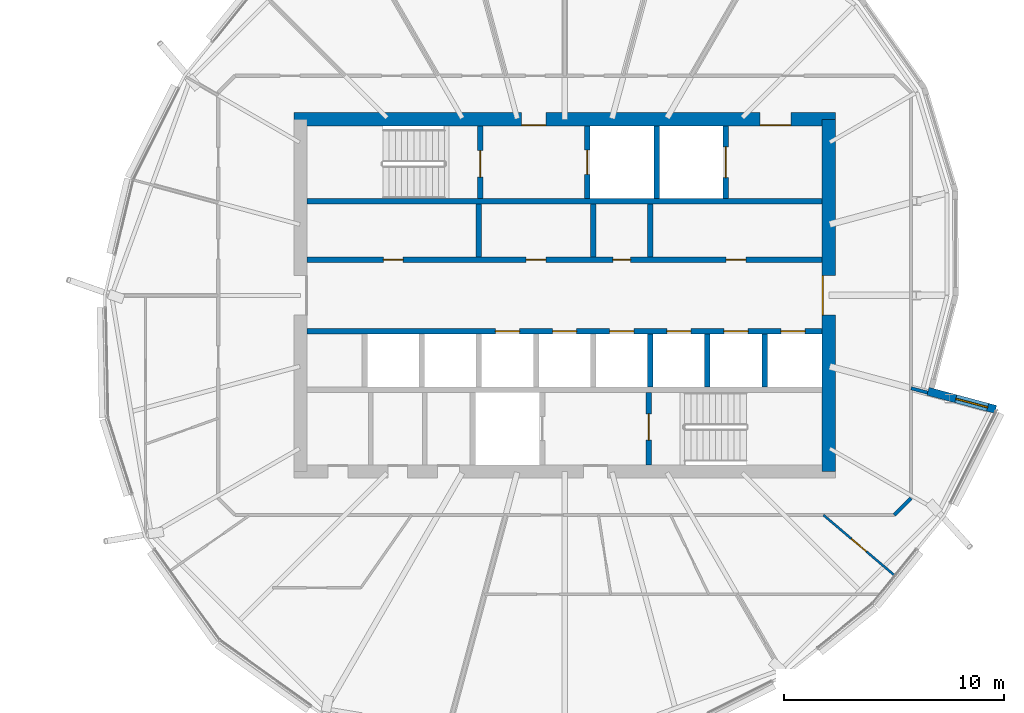
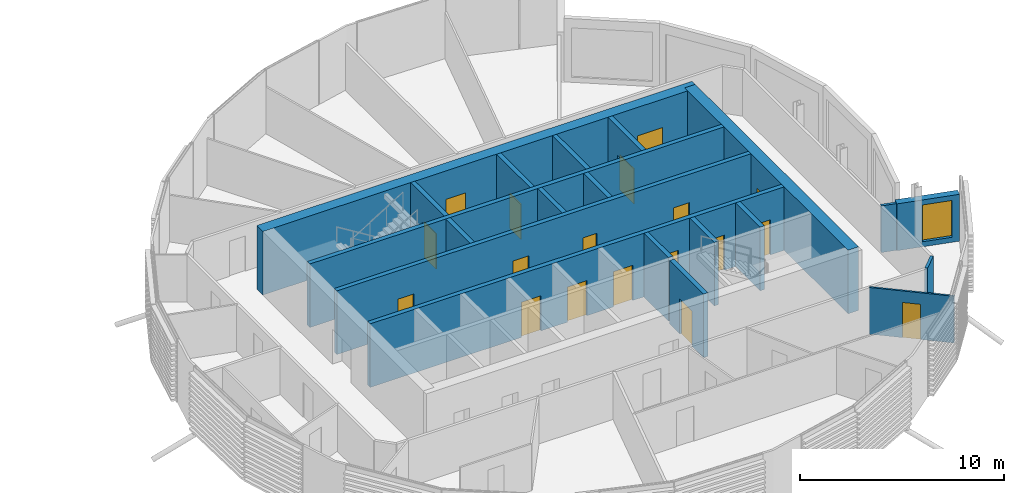
# One storey, part 22 of 36: 20 walls, 18 doors, 1 window, 19 openings.
"""IFC4 building model written with IfcOpenShell, lengths in metres."""

from ifc_helpers import new_model, si_unit, direction, frame, frame_2d, origin, place, context, subcontext, project, spatial, rectangle, extrude, material, layer, layer_set, type_object, element, fill, save


model = new_model("IFC4")

# Units and contexts
model_context = context("Model", 3, precision=1e-05, world=origin(), true_north=direction((0.0, 1.0)))
body_context = subcontext(model_context, "Body", "Model", "MODEL_VIEW")
ifc_project = project(units=[si_unit("LENGTHUNIT", "METRE"), si_unit("AREAUNIT", "SQUARE_METRE"), si_unit("VOLUMEUNIT", "CUBIC_METRE"), si_unit("PLANEANGLEUNIT", "RADIAN"), si_unit("MASSUNIT", "GRAM", prefix="KILO")], contexts=[model_context])

# Site, building, storey
site_placement = place(None, origin())
site = spatial("IfcSite", under=ifc_project, at=site_placement, CompositionType="ELEMENT")
building_placement = place(site_placement, origin())
building = spatial("IfcBuilding", under=site, at=building_placement, Name="Rimbun Link Towers", CompositionType="ELEMENT")
storey_placement = place(building_placement, frame((0.0, 0.0, 174.10009765625)))
storey = spatial("IfcBuildingStorey", under=building, at=storey_placement, Name="L42", CompositionType="ELEMENT", Elevation=174.10009765625)

# Wall, opening, window
ifc_material_1 = material(Name="Dark enamelled glass spandrel on insulated aluminium backpan", Category="aluminium")
ifc_layer_1 = layer(ifc_material_1, 0.3701171875)
ifc_layer_set_1 = layer_set([ifc_layer_1], Name="CS dark enamelled spandrel wall 370")
wall_type_1 = type_object("IfcWallType", Name="CS dark enamelled spandrel wall 370", PredefinedType="STANDARD", material=ifc_layer_set_1)
wall_1_placement = place(storey_placement, frame((48.25439453125, -4.35498046875, 0.0), z_axis=(0.0, 0.0, 1.0), x_axis=(0.965927146643, -0.258814117426, 0.0)))
wall_1 = element("IfcWall", 1, at=wall_1_placement, inside=storey, type_object=wall_type_1, Name="Crease spandrel wall", PredefinedType="STANDARD", context=body_context, shape_type="SweptSolid", body=[
    extrude(rectangle(XDim=3.179931640625, YDim=0.3701171875, at=frame_2d((1.58984375, 0.0))), origin(), (0.0, 0.0, 1.0), 2.799072265625),
])
opening_1_placement = place(wall_1_placement, frame((1.305419921875, 0.0, 0.300048828125)))
opening_1 = element("IfcOpeningElement", 2, at=opening_1_placement, cuts=wall_1, Name="Opening WR15H220", PredefinedType="OPENING", context=body_context, shape_type="SweptSolid", body=[
    extrude(rectangle(XDim=1.5, YDim=2.199951171875, at=frame_2d((0.75, 1.10009765625))), frame((0.0, 0.195068359375, 0.0), z_axis=(0.0, -1.0, 0.0), x_axis=(1.0, 0.0, 0.0)), (0.0, 0.0, 1.0), 0.39013671875),
])
ifc_material_2 = material(Name="Aluminium framed fixed window, dark tinted low-e glass", Category="aluminium")
window_type = type_object("IfcWindowType", Name="WR ribbon window 1500X2200", PartitioningType="SINGLE_PANEL", PredefinedType="WINDOW", material=ifc_material_2)
window_placement = place(opening_1_placement, origin())
window = element("IfcWindow", 3, at=window_placement, inside=storey, type_object=window_type, Name="Crease ribbon window", OverallHeight=2.199951171875, OverallWidth=1.5, PartitioningType="SINGLE_PANEL", PredefinedType="WINDOW", context=body_context, shape_type="SweptSolid", body=[
    extrude(rectangle(XDim=1.5, YDim=2.199951171875, at=frame_2d((0.75, 1.10009765625))), frame((0.0, 0.030029296875, 0.0), z_axis=(0.0, -1.0, 0.0), x_axis=(1.0, 0.0, 0.0)), (0.0, 0.0, 1.0), 0.06005859375),
])
fill(opening_1, window)

# Wall, openings, doors
ifc_material_3 = material(Name="Concrete C60/75", Category="concrete")
ifc_layer_2 = layer(ifc_material_3, 0.60009765625)
ifc_layer_set_2 = layer_set([ifc_layer_2], Name="Core shear wall 600")
wall_type_2 = type_object("IfcWallType", Name="Core shear wall 600", PredefinedType="SHEAR", material=ifc_layer_set_2)
wall_2_placement = place(storey_placement, frame((19.449951171875, 8.0, 0.0), z_axis=(0.0, 0.0, 1.0), x_axis=(1.0, 0.0, 0.0)))
wall_2 = element("IfcWall", 4, at=wall_2_placement, inside=storey, type_object=wall_type_2, Name="L42 T2 core wall N", PredefinedType="SHEAR", context=body_context, shape_type="SweptSolid", body=[
    extrude(rectangle(XDim=24.60009765625, YDim=0.60009765625, at=frame_2d((12.300048828125, 0.0))), origin(), (0.0, 0.0, 1.0), 3.7998046875),
])
opening_2_placement = place(wall_2_placement, frame((10.35009765625, 0.0, 0.0)))
opening_2 = element("IfcOpeningElement", 5, at=opening_2_placement, cuts=wall_2, Name="Opening C2DCF01N", PredefinedType="OPENING", context=body_context, shape_type="SweptSolid", body=[
    extrude(rectangle(XDim=1.10009765625, YDim=2.10009765625, at=frame_2d((0.550048828125, 1.050048828125))), frame((0.0, 0.31005859375, 0.0), z_axis=(0.0, -1.0, 0.0), x_axis=(1.0, 0.0, 0.0)), (0.0, 0.0, 1.0), 0.6201171875),
])
opening_3_placement = place(wall_2_placement, frame((21.175048828125, 0.0, 0.0)))
opening_3 = element("IfcOpeningElement", 6, at=opening_3_placement, cuts=wall_2, Name="Opening C2DSL02N", PredefinedType="OPENING", context=body_context, shape_type="SweptSolid", body=[
    extrude(rectangle(XDim=1.39990234375, YDim=2.10009765625, at=frame_2d((0.699951171875, 1.050048828125))), frame((0.0, 0.31005859375, 0.0), z_axis=(0.0, -1.0, 0.0), x_axis=(1.0, 0.0, 0.0)), (0.0, 0.0, 1.0), 0.6201171875),
])
ifc_material_4 = material(Name="Steel fire door set", Category="steel")
door_type_1 = type_object("IfcDoorType", Name="Core fire door single", OperationType="SINGLE_SWING_LEFT", PredefinedType="DOOR", material=ifc_material_4)
door_1_placement = place(opening_2_placement, origin())
door_1 = element("IfcDoor", 7, at=door_1_placement, inside=storey, type_object=door_type_1, Name="L42 T2 firefighting lobby n door", OperationType="SINGLE_SWING_LEFT", OverallHeight=2.10009765625, OverallWidth=1.10009765625, PredefinedType="DOOR", context=body_context, shape_type="SweptSolid", body=[
    extrude(rectangle(XDim=1.10009765625, YDim=2.10009765625, at=frame_2d((0.550048828125, 1.050048828125))), frame((0.0, -0.25, 0.0), z_axis=(0.0, -1.0, 0.0), x_axis=(1.0, 0.0, 0.0)), (0.0, 0.0, 1.0), 0.050048828125),
])
fill(opening_2, door_1)
ifc_material_5 = material(Name="Steel fire door set", Category="steel")
door_type_2 = type_object("IfcDoorType", Name="Service lobby door double", OperationType="DOUBLE_DOOR_SINGLE_SWING", PredefinedType="DOOR", material=ifc_material_5)
door_2_placement = place(opening_3_placement, origin())
door_2 = element("IfcDoor", 8, at=door_2_placement, inside=storey, type_object=door_type_2, Name="L42 T2 service lobby door", OperationType="DOUBLE_DOOR_SINGLE_SWING", OverallHeight=2.10009765625, OverallWidth=1.39990234375, PredefinedType="DOOR", context=body_context, shape_type="SweptSolid", body=[
    extrude(rectangle(XDim=1.39990234375, YDim=2.10009765625, at=frame_2d((0.699951171875, 1.050048828125))), frame((0.0, -0.25, 0.0), z_axis=(0.0, -1.0, 0.0), x_axis=(1.0, 0.0, 0.0)), (0.0, 0.0, 1.0), 0.050048828125),
])
fill(opening_3, door_2)

# Wall, opening, door
wall_3_placement = place(storey_placement, frame((43.75, -8.0, 0.0), z_axis=(0.0, 0.0, 1.0), x_axis=(0.0, 1.0, 0.0)))
wall_3 = element("IfcWall", 9, at=wall_3_placement, inside=storey, type_object=wall_type_2, Name="L42 T2 core wall E", PredefinedType="SHEAR", context=body_context, shape_type="SweptSolid", body=[
    extrude(rectangle(XDim=16.0, YDim=0.60009765625, at=frame_2d((8.0, 0.0))), origin(), (0.0, 0.0, 1.0), 3.7998046875),
])
opening_4_placement = place(wall_3_placement, frame((7.10009765625, 0.0, 0.0)))
opening_4 = element("IfcOpeningElement", 10, at=opening_4_placement, cuts=wall_3, Name="Opening C2DCL01E", PredefinedType="OPENING", context=body_context, shape_type="SweptSolid", body=[
    extrude(rectangle(XDim=1.800048828125, YDim=2.10009765625, at=frame_2d((0.89990234375, 1.050048828125))), frame((0.0, 0.31005859375, 0.0), z_axis=(0.0, -1.0, 0.0), x_axis=(1.0, 0.0, 0.0)), (0.0, 0.0, 1.0), 0.6201171875),
])
ifc_material_6 = material(Name="Steel fire door set", Category="steel")
door_type_3 = type_object("IfcDoorType", Name="Core lobby door double", OperationType="DOUBLE_DOOR_SINGLE_SWING", PredefinedType="DOOR", material=ifc_material_6)
door_3_placement = place(opening_4_placement, origin())
door_3 = element("IfcDoor", 11, at=door_3_placement, inside=storey, type_object=door_type_3, Name="L42 T2 lift lobby door", OperationType="DOUBLE_DOOR_SINGLE_SWING", OverallHeight=2.10009765625, OverallWidth=1.800048828125, PredefinedType="DOOR", context=body_context, shape_type="SweptSolid", body=[
    extrude(rectangle(XDim=1.800048828125, YDim=2.10009765625, at=frame_2d((0.89990234375, 1.050048828125))), frame((0.0, 0.2998046875, 0.0), z_axis=(0.0, -1.0, 0.0), x_axis=(1.0, 0.0, 0.0)), (0.0, 0.0, 1.0), 0.050048828125),
])
fill(opening_4, door_3)

# Wall
ifc_material_7 = material(Name="Plasterboard on steel stud, mineral wool", Category="steel")
ifc_layer_3 = layer(ifc_material_7, 0.14990234375)
ifc_layer_set_3 = layer_set([ifc_layer_3], Name="Corridor wall EI 30 150 mm")
wall_type_3 = type_object("IfcWallType", Name="Corridor wall EI 30 150 mm", PredefinedType="PARTITIONING", material=ifc_layer_set_3)
wall_4_placement = place(storey_placement, frame((46.7236328125, -9.97509765625, 0.0), z_axis=(0.0, 0.0, 1.0), x_axis=(0.707106781187, 0.707106781187, 0.0)))
element("IfcWall", 12, at=wall_4_placement, inside=storey, type_object=wall_type_3, Name="Corridor wall EI 30 150 mm", PredefinedType="PARTITIONING", context=body_context, shape_type="SweptSolid", body=[
    extrude(rectangle(XDim=1.076904296875, YDim=0.14990234375, at=frame_2d((0.53857421875, 0.0))), origin(), (0.0, 0.0, 1.0), 2.788818359375),
])

# Wall, opening, door
ifc_material_8 = material(Name="Plasterboard on steel stud", Category="steel")
ifc_layer_4 = layer(ifc_material_8, 0.10009765625)
ifc_layer_set_4 = layer_set([ifc_layer_4], Name="Plasterboard partition 100 mm")
wall_type_4 = type_object("IfcWallType", Name="Plasterboard partition 100 mm", PredefinedType="PARTITIONING", material=ifc_layer_set_4)
wall_5_placement = place(storey_placement, frame((43.50537109375, -9.97509765625, 0.0), z_axis=(0.0, 0.0, 1.0), x_axis=(0.762487554791, -0.647002881593, 0.0)))
wall_5 = element("IfcWall", 13, at=wall_5_placement, inside=storey, type_object=wall_type_4, Name="Plasterboard partition 100 mm", PredefinedType="PARTITIONING", context=body_context, shape_type="SweptSolid", body=[
    extrude(rectangle(XDim=4.22802734375, YDim=0.10009765625, at=frame_2d((2.114013671875, 0.0))), origin(), (0.0, 0.0, 1.0), 2.788818359375),
])
opening_5_placement = place(wall_5_placement, frame((1.6640625, 0.0, 0.0)))
opening_5 = element("IfcOpeningElement", 14, at=opening_5_placement, cuts=wall_5, Name="Opening D04", PredefinedType="OPENING", context=body_context, shape_type="SweptSolid", body=[
    extrude(rectangle(XDim=0.89990234375, YDim=2.10009765625, at=frame_2d((0.449951171875, 1.050048828125))), frame((0.0, 0.06005859375, 0.0), z_axis=(0.0, -1.0, 0.0), x_axis=(1.0, 0.0, 0.0)), (0.0, 0.0, 1.0), 0.1201171875),
])
ifc_material_9 = material(Name="Timber door leaf", Category="wood")
door_type_4 = type_object("IfcDoorType", Name="Flush door 900", OperationType="NOTDEFINED", PredefinedType="DOOR", material=ifc_material_9)
door_4_placement = place(opening_5_placement, origin())
door_4 = element("IfcDoor", 15, at=door_4_placement, inside=storey, type_object=door_type_4, Name="Flush door 900 to Pantry", OperationType="SINGLE_SWING_RIGHT", OverallHeight=2.10009765625, OverallWidth=0.89990234375, PredefinedType="DOOR", context=body_context, shape_type="SweptSolid", body=[
    extrude(rectangle(XDim=0.89990234375, YDim=2.10009765625, at=frame_2d((0.449951171875, 1.050048828125))), frame((0.0, 0.02490234375, 0.0), z_axis=(0.0, -1.0, 0.0), x_axis=(1.0, 0.0, 0.0)), (0.0, 0.0, 1.0), 0.050048828125),
])
fill(opening_5, door_4)

# Wall
ifc_material_10 = material(Name="Concrete C60/75", Category="concrete")
ifc_layer_5 = layer(ifc_material_10, 0.25)
ifc_layer_set_5 = layer_set([ifc_layer_5], Name="Shaft wall 250")
wall_type_5 = type_object("IfcWallType", Name="Shaft wall 250", PredefinedType="SHEAR", material=ifc_layer_set_5)
wall_6_placement = place(storey_placement, frame((20.050048828125, 4.27490234375, 0.0), z_axis=(0.0, 0.0, 1.0), x_axis=(1.0, 0.0, 0.0)))
element("IfcWall", 16, at=wall_6_placement, inside=storey, type_object=wall_type_5, Name="L42 T2 core wall BN", PredefinedType="SHEAR", context=body_context, shape_type="SweptSolid", body=[
    extrude(rectangle(XDim=23.39990234375, YDim=0.25, at=frame_2d((11.699951171875, 0.0))), origin(), (0.0, 0.0, 1.0), 3.7998046875),
])

# Wall, openings, doors
wall_7_placement = place(storey_placement, frame((20.050048828125, 1.625, 0.0), z_axis=(0.0, 0.0, 1.0), x_axis=(1.0, 0.0, 0.0)))
wall_7 = element("IfcWall", 17, at=wall_7_placement, inside=storey, type_object=wall_type_5, Name="L42 T2 core wall FN", PredefinedType="SHEAR", context=body_context, shape_type="SweptSolid", body=[
    extrude(rectangle(XDim=23.39990234375, YDim=0.25, at=frame_2d((11.699951171875, 0.0))), origin(), (0.0, 0.0, 1.0), 3.7998046875),
])
opening_6_placement = place(wall_7_placement, frame((3.466796875, 0.0, 0.0)))
opening_6 = element("IfcOpeningElement", 18, at=opening_6_placement, cuts=wall_7, Name="Opening C2DRS01FN", PredefinedType="OPENING", context=body_context, shape_type="SweptSolid", body=[
    extrude(rectangle(XDim=0.89990234375, YDim=2.10009765625, at=frame_2d((0.449951171875, 1.050048828125))), frame((0.0, 0.135009765625, 0.0), z_axis=(0.0, -1.0, 0.0), x_axis=(1.0, 0.0, 0.0)), (0.0, 0.0, 1.0), 0.27001953125),
])
opening_7_placement = place(wall_7_placement, frame((9.952880859375, 0.0, 0.0)))
opening_7 = element("IfcOpeningElement", 19, at=opening_7_placement, cuts=wall_7, Name="Opening C2DRS02FN", PredefinedType="OPENING", context=body_context, shape_type="SweptSolid", body=[
    extrude(rectangle(XDim=0.89990234375, YDim=2.10009765625, at=frame_2d((0.449951171875, 1.050048828125))), frame((0.0, 0.135009765625, 0.0), z_axis=(0.0, -1.0, 0.0), x_axis=(1.0, 0.0, 0.0)), (0.0, 0.0, 1.0), 0.27001953125),
])
opening_8_placement = place(wall_7_placement, frame((13.894287109375, 0.0, 0.0)))
opening_8 = element("IfcOpeningElement", 20, at=opening_8_placement, cuts=wall_7, Name="Opening C2DRA03FN", PredefinedType="OPENING", context=body_context, shape_type="SweptSolid", body=[
    extrude(rectangle(XDim=0.800048828125, YDim=2.10009765625, at=frame_2d((0.39990234375, 1.050048828125))), frame((0.0, 0.135009765625, 0.0), z_axis=(0.0, -1.0, 0.0), x_axis=(1.0, 0.0, 0.0)), (0.0, 0.0, 1.0), 0.27001953125),
])
opening_9_placement = place(wall_7_placement, frame((19.033203125, 0.0, 0.0)))
opening_9 = element("IfcOpeningElement", 21, at=opening_9_placement, cuts=wall_7, Name="Opening C2DRS04FN", PredefinedType="OPENING", context=body_context, shape_type="SweptSolid", body=[
    extrude(rectangle(XDim=0.89990234375, YDim=2.10009765625, at=frame_2d((0.449951171875, 1.050048828125))), frame((0.0, 0.135009765625, 0.0), z_axis=(0.0, -1.0, 0.0), x_axis=(1.0, 0.0, 0.0)), (0.0, 0.0, 1.0), 0.27001953125),
])
ifc_material_11 = material(Name="Steel fire door set", Category="steel")
door_type_5 = type_object("IfcDoorType", Name="Core riser door", OperationType="SINGLE_SWING_LEFT", PredefinedType="DOOR", material=ifc_material_11)
door_5_placement = place(opening_6_placement, origin())
door_5 = element("IfcDoor", 22, at=door_5_placement, inside=storey, type_object=door_type_5, Name="L42 T2 plant room door", OperationType="SINGLE_SWING_LEFT", OverallHeight=2.10009765625, OverallWidth=0.89990234375, PredefinedType="DOOR", context=body_context, shape_type="SweptSolid", body=[
    extrude(rectangle(XDim=0.89990234375, YDim=2.10009765625, at=frame_2d((0.449951171875, 1.050048828125))), frame((0.0, 0.02490234375, 0.0), z_axis=(0.0, -1.0, 0.0), x_axis=(1.0, 0.0, 0.0)), (0.0, 0.0, 1.0), 0.050048828125),
])
fill(opening_6, door_5)
door_6_placement = place(opening_7_placement, origin())
door_6 = element("IfcDoor", 23, at=door_6_placement, inside=storey, type_object=door_type_5, Name="L42 T2 pantry door", OperationType="SINGLE_SWING_LEFT", OverallHeight=2.10009765625, OverallWidth=0.89990234375, PredefinedType="DOOR", context=body_context, shape_type="SweptSolid", body=[
    extrude(rectangle(XDim=0.89990234375, YDim=2.10009765625, at=frame_2d((0.449951171875, 1.050048828125))), frame((0.0, 0.02490234375, 0.0), z_axis=(0.0, -1.0, 0.0), x_axis=(1.0, 0.0, 0.0)), (0.0, 0.0, 1.0), 0.050048828125),
])
fill(opening_7, door_6)
door_7_placement = place(opening_9_placement, origin())
door_7 = element("IfcDoor", 24, at=door_7_placement, inside=storey, type_object=door_type_5, Name="L42 T2 plant room door", OperationType="SINGLE_SWING_RIGHT", OverallHeight=2.10009765625, OverallWidth=0.89990234375, PredefinedType="DOOR", context=body_context, shape_type="SweptSolid", body=[
    extrude(rectangle(XDim=0.89990234375, YDim=2.10009765625, at=frame_2d((0.449951171875, 1.050048828125))), frame((0.0, 0.02490234375, 0.0), z_axis=(0.0, -1.0, 0.0), x_axis=(1.0, 0.0, 0.0)), (0.0, 0.0, 1.0), 0.050048828125),
])
fill(opening_9, door_7)
ifc_material_12 = material(Name="Steel fire door set", Category="steel")
door_type_6 = type_object("IfcDoorType", Name="Riser access door 800 x 2100", OperationType="SINGLE_SWING_LEFT", PredefinedType="DOOR", material=ifc_material_12)
door_8_placement = place(opening_8_placement, origin())
door_8 = element("IfcDoor", 25, at=door_8_placement, inside=storey, type_object=door_type_6, Name="L42 T2 riser cupboard door", OperationType="SINGLE_SWING_LEFT", OverallHeight=2.10009765625, OverallWidth=0.800048828125, PredefinedType="DOOR", context=body_context, shape_type="SweptSolid", body=[
    extrude(rectangle(XDim=0.800048828125, YDim=2.10009765625, at=frame_2d((0.39990234375, 1.050048828125))), frame((0.0, 0.02490234375, 0.0), z_axis=(0.0, -1.0, 0.0), x_axis=(1.0, 0.0, 0.0)), (0.0, 0.0, 1.0), 0.050048828125),
])
fill(opening_8, door_8)

wall_8_placement = place(storey_placement, frame((20.050048828125, -1.625, 0.0), z_axis=(0.0, 0.0, 1.0), x_axis=(1.0, 0.0, 0.0)))
wall_8 = element("IfcWall", 26, at=wall_8_placement, inside=storey, type_object=wall_type_5, Name="L42 T2 core wall FS", PredefinedType="SHEAR", context=body_context, shape_type="SweptSolid", body=[
    extrude(rectangle(XDim=23.39990234375, YDim=0.25, at=frame_2d((11.699951171875, 0.0))), origin(), (0.0, 0.0, 1.0), 3.7998046875),
])
opening_10_placement = place(wall_8_placement, frame((8.5556640625, 0.0, 0.0)))
opening_10 = element("IfcOpeningElement", 27, at=opening_10_placement, cuts=wall_8, Name="Opening LD-T2-HR1", PredefinedType="OPENING", context=body_context, shape_type="SweptSolid", body=[
    extrude(rectangle(XDim=1.10009765625, YDim=2.10009765625, at=frame_2d((0.550048828125, 1.050048828125))), frame((0.0, 0.135009765625, 0.0), z_axis=(0.0, -1.0, 0.0), x_axis=(1.0, 0.0, 0.0)), (0.0, 0.0, 1.0), 0.27001953125),
])
opening_11_placement = place(wall_8_placement, frame((11.14990234375, 0.0, 0.0)))
opening_11 = element("IfcOpeningElement", 28, at=opening_11_placement, cuts=wall_8, Name="Opening LD-T2-HR2", PredefinedType="OPENING", context=body_context, shape_type="SweptSolid", body=[
    extrude(rectangle(XDim=1.10009765625, YDim=2.10009765625, at=frame_2d((0.550048828125, 1.050048828125))), frame((0.0, 0.135009765625, 0.0), z_axis=(0.0, -1.0, 0.0), x_axis=(1.0, 0.0, 0.0)), (0.0, 0.0, 1.0), 0.27001953125),
])
opening_12_placement = place(wall_8_placement, frame((13.744384765625, 0.0, 0.0)))
opening_12 = element("IfcOpeningElement", 29, at=opening_12_placement, cuts=wall_8, Name="Opening LD-T2-HR3", PredefinedType="OPENING", context=body_context, shape_type="SweptSolid", body=[
    extrude(rectangle(XDim=1.10009765625, YDim=2.10009765625, at=frame_2d((0.550048828125, 1.050048828125))), frame((0.0, 0.135009765625, 0.0), z_axis=(0.0, -1.0, 0.0), x_axis=(1.0, 0.0, 0.0)), (0.0, 0.0, 1.0), 0.27001953125),
])
opening_13_placement = place(wall_8_placement, frame((16.3388671875, 0.0, 0.0)))
opening_13 = element("IfcOpeningElement", 30, at=opening_13_placement, cuts=wall_8, Name="Opening LD-T2-HR4", PredefinedType="OPENING", context=body_context, shape_type="SweptSolid", body=[
    extrude(rectangle(XDim=1.10009765625, YDim=2.10009765625, at=frame_2d((0.550048828125, 1.050048828125))), frame((0.0, 0.135009765625, 0.0), z_axis=(0.0, -1.0, 0.0), x_axis=(1.0, 0.0, 0.0)), (0.0, 0.0, 1.0), 0.27001953125),
])
opening_14_placement = place(wall_8_placement, frame((18.933349609375, 0.0, 0.0)))
opening_14 = element("IfcOpeningElement", 31, at=opening_14_placement, cuts=wall_8, Name="Opening LD-T2-HR5", PredefinedType="OPENING", context=body_context, shape_type="SweptSolid", body=[
    extrude(rectangle(XDim=1.10009765625, YDim=2.10009765625, at=frame_2d((0.550048828125, 1.050048828125))), frame((0.0, 0.135009765625, 0.0), z_axis=(0.0, -1.0, 0.0), x_axis=(1.0, 0.0, 0.0)), (0.0, 0.0, 1.0), 0.27001953125),
])
opening_15_placement = place(wall_8_placement, frame((21.52783203125, 0.0, 0.0)))
opening_15 = element("IfcOpeningElement", 32, at=opening_15_placement, cuts=wall_8, Name="Opening LD-T2-HR6", PredefinedType="OPENING", context=body_context, shape_type="SweptSolid", body=[
    extrude(rectangle(XDim=1.10009765625, YDim=2.10009765625, at=frame_2d((0.550048828125, 1.050048828125))), frame((0.0, 0.135009765625, 0.0), z_axis=(0.0, -1.0, 0.0), x_axis=(1.0, 0.0, 0.0)), (0.0, 0.0, 1.0), 0.27001953125),
])
ifc_material_13 = material(Name="Stainless steel grade 316", Category="steel")
door_type_7 = type_object("IfcDoorType", Name="Lift landing door", OperationType="DOUBLE_DOOR_SLIDING", PredefinedType="DOOR", material=ifc_material_13)
door_9_placement = place(opening_10_placement, origin())
door_9 = element("IfcDoor", 33, at=door_9_placement, inside=storey, type_object=door_type_7, Name="L42 T2 lift HR1 landing door", OperationType="DOUBLE_DOOR_SLIDING", OverallHeight=2.10009765625, OverallWidth=1.10009765625, PredefinedType="DOOR", context=body_context, shape_type="SweptSolid", body=[
    extrude(rectangle(XDim=1.10009765625, YDim=2.10009765625, at=frame_2d((0.550048828125, 1.050048828125))), frame((0.0, 0.02490234375, 0.0), z_axis=(0.0, -1.0, 0.0), x_axis=(1.0, 0.0, 0.0)), (0.0, 0.0, 1.0), 0.050048828125),
])
fill(opening_10, door_9)
door_10_placement = place(opening_11_placement, origin())
door_10 = element("IfcDoor", 34, at=door_10_placement, inside=storey, type_object=door_type_7, Name="L42 T2 lift HR2 landing door", OperationType="DOUBLE_DOOR_SLIDING", OverallHeight=2.10009765625, OverallWidth=1.10009765625, PredefinedType="DOOR", context=body_context, shape_type="SweptSolid", body=[
    extrude(rectangle(XDim=1.10009765625, YDim=2.10009765625, at=frame_2d((0.550048828125, 1.050048828125))), frame((0.0, 0.02490234375, 0.0), z_axis=(0.0, -1.0, 0.0), x_axis=(1.0, 0.0, 0.0)), (0.0, 0.0, 1.0), 0.050048828125),
])
fill(opening_11, door_10)
door_11_placement = place(opening_12_placement, origin())
door_11 = element("IfcDoor", 35, at=door_11_placement, inside=storey, type_object=door_type_7, Name="L42 T2 lift HR3 landing door", OperationType="DOUBLE_DOOR_SLIDING", OverallHeight=2.10009765625, OverallWidth=1.10009765625, PredefinedType="DOOR", context=body_context, shape_type="SweptSolid", body=[
    extrude(rectangle(XDim=1.10009765625, YDim=2.10009765625, at=frame_2d((0.550048828125, 1.050048828125))), frame((0.0, 0.02490234375, 0.0), z_axis=(0.0, -1.0, 0.0), x_axis=(1.0, 0.0, 0.0)), (0.0, 0.0, 1.0), 0.050048828125),
])
fill(opening_12, door_11)
door_12_placement = place(opening_13_placement, origin())
door_12 = element("IfcDoor", 36, at=door_12_placement, inside=storey, type_object=door_type_7, Name="L42 T2 lift HR4 landing door", OperationType="DOUBLE_DOOR_SLIDING", OverallHeight=2.10009765625, OverallWidth=1.10009765625, PredefinedType="DOOR", context=body_context, shape_type="SweptSolid", body=[
    extrude(rectangle(XDim=1.10009765625, YDim=2.10009765625, at=frame_2d((0.550048828125, 1.050048828125))), frame((0.0, 0.02490234375, 0.0), z_axis=(0.0, -1.0, 0.0), x_axis=(1.0, 0.0, 0.0)), (0.0, 0.0, 1.0), 0.050048828125),
])
fill(opening_13, door_12)
door_13_placement = place(opening_14_placement, origin())
door_13 = element("IfcDoor", 37, at=door_13_placement, inside=storey, type_object=door_type_7, Name="L42 T2 lift HR5 landing door", OperationType="DOUBLE_DOOR_SLIDING", OverallHeight=2.10009765625, OverallWidth=1.10009765625, PredefinedType="DOOR", context=body_context, shape_type="SweptSolid", body=[
    extrude(rectangle(XDim=1.10009765625, YDim=2.10009765625, at=frame_2d((0.550048828125, 1.050048828125))), frame((0.0, 0.02490234375, 0.0), z_axis=(0.0, -1.0, 0.0), x_axis=(1.0, 0.0, 0.0)), (0.0, 0.0, 1.0), 0.050048828125),
])
fill(opening_14, door_13)
door_14_placement = place(opening_15_placement, origin())
door_14 = element("IfcDoor", 38, at=door_14_placement, inside=storey, type_object=door_type_7, Name="L42 T2 lift HR6 landing door", OperationType="DOUBLE_DOOR_SLIDING", OverallHeight=2.10009765625, OverallWidth=1.10009765625, PredefinedType="DOOR", context=body_context, shape_type="SweptSolid", body=[
    extrude(rectangle(XDim=1.10009765625, YDim=2.10009765625, at=frame_2d((0.550048828125, 1.050048828125))), frame((0.0, 0.02490234375, 0.0), z_axis=(0.0, -1.0, 0.0), x_axis=(1.0, 0.0, 0.0)), (0.0, 0.0, 1.0), 0.050048828125),
])
fill(opening_15, door_14)

# Walls
for number, where, z_axis, x_axis, name in (
    (39, (27.8583984375, 1.75, 0.0), (0.0, 0.0, 1.0), (0.0, 1.0, 0.0), "L42 T2 core wall DN2"),
    (40, (33.047119140625, 1.75, 0.0), (0.0, 0.0, 1.0), (0.0, 1.0, 0.0), "L42 T2 core wall DN4"),
    (41, (35.6416015625, 1.75, 0.0), (0.0, 0.0, 1.0), (0.0, 1.0, 0.0), "L42 T2 core wall DN5"),
    (42, (35.6416015625, -4.14990234375, 0.0), (0.0, 0.0, 1.0), (0.0, 1.0, 0.0), "L42 T2 core wall DS5"),
    (43, (38.236083984375, -4.14990234375, 0.0), (0.0, 0.0, 1.0), (0.0, 1.0, 0.0), "L42 T2 core wall DS6"),
    (44, (40.83056640625, -4.14990234375, 0.0), (0.0, 0.0, 1.0), (0.0, 1.0, 0.0), "L42 T2 core wall DS7"),
):
    element("IfcWall", number, at=place(storey_placement, frame(where, z_axis=z_axis, x_axis=x_axis)), inside=storey, type_object=wall_type_5, Name=name, PredefinedType="SHEAR", context=body_context, shape_type="SweptSolid", body=[
        extrude(rectangle(XDim=2.39990234375, YDim=0.25, at=frame_2d((1.199951171875, 0.0))), origin(), (0.0, 0.0, 1.0), 3.7998046875),
    ])

# Wall, opening, door
wall_9_placement = place(storey_placement, frame((27.925048828125, 4.39990234375, 0.0), z_axis=(0.0, 0.0, 1.0), x_axis=(0.0, 1.0, 0.0)))
wall_9 = element("IfcWall", 45, at=wall_9_placement, inside=storey, type_object=wall_type_5, Name="L42 T2 core wall A1", PredefinedType="SHEAR", context=body_context, shape_type="SweptSolid", body=[
    extrude(rectangle(XDim=3.300048828125, YDim=0.25, at=frame_2d((1.64990234375, 0.0))), origin(), (0.0, 0.0, 1.0), 3.7998046875),
])
opening_16_placement = place(wall_9_placement, frame((0.97509765625, 0.0, 0.0)))
opening_16 = element("IfcOpeningElement", 46, at=opening_16_placement, cuts=wall_9, Name="Opening C2DST01A1", PredefinedType="OPENING", context=body_context, shape_type="SweptSolid", body=[
    extrude(rectangle(XDim=1.199951171875, YDim=2.10009765625, at=frame_2d((0.60009765625, 1.050048828125))), frame((0.0, 0.135009765625, 0.0), z_axis=(0.0, -1.0, 0.0), x_axis=(1.0, 0.0, 0.0)), (0.0, 0.0, 1.0), 0.27001953125),
])
ifc_material_14 = material(Name="Steel fire door set", Category="steel")
door_type_8 = type_object("IfcDoorType", Name="Stair door", OperationType="SINGLE_SWING_LEFT", PredefinedType="DOOR", material=ifc_material_14)
door_15_placement = place(opening_16_placement, origin())
door_15 = element("IfcDoor", 47, at=door_15_placement, inside=storey, type_object=door_type_8, Name="L42 T2 stair a door", OperationType="SINGLE_SWING_RIGHT", OverallHeight=2.10009765625, OverallWidth=1.199951171875, PredefinedType="DOOR", context=body_context, shape_type="SweptSolid", body=[
    extrude(rectangle(XDim=1.199951171875, YDim=2.10009765625, at=frame_2d((0.60009765625, 1.050048828125))), frame((0.0, 0.02490234375, 0.0), z_axis=(0.0, -1.0, 0.0), x_axis=(1.0, 0.0, 0.0)), (0.0, 0.0, 1.0), 0.050048828125),
])
fill(opening_16, door_15)

wall_10_placement = place(storey_placement, frame((32.77490234375, 4.39990234375, 0.0), z_axis=(0.0, 0.0, 1.0), x_axis=(0.0, 1.0, 0.0)))
wall_10 = element("IfcWall", 48, at=wall_10_placement, inside=storey, type_object=wall_type_5, Name="L42 T2 core wall A2", PredefinedType="SHEAR", context=body_context, shape_type="SweptSolid", body=[
    extrude(rectangle(XDim=3.300048828125, YDim=0.25, at=frame_2d((1.64990234375, 0.0))), origin(), (0.0, 0.0, 1.0), 3.7998046875),
])
opening_17_placement = place(wall_10_placement, frame((1.10009765625, 0.0, 0.0)))
opening_17 = element("IfcOpeningElement", 49, at=opening_17_placement, cuts=wall_10, Name="Opening LD-T2-FF1", PredefinedType="OPENING", context=body_context, shape_type="SweptSolid", body=[
    extrude(rectangle(XDim=1.10009765625, YDim=2.10009765625, at=frame_2d((0.550048828125, 1.050048828125))), frame((0.0, 0.135009765625, 0.0), z_axis=(0.0, -1.0, 0.0), x_axis=(1.0, 0.0, 0.0)), (0.0, 0.0, 1.0), 0.27001953125),
])
door_16_placement = place(opening_17_placement, origin())
door_16 = element("IfcDoor", 50, at=door_16_placement, inside=storey, type_object=door_type_7, Name="L42 T2 lift FF1 landing door", OperationType="DOUBLE_DOOR_SLIDING", OverallHeight=2.10009765625, OverallWidth=1.10009765625, PredefinedType="DOOR", context=body_context, shape_type="SweptSolid", body=[
    extrude(rectangle(XDim=1.10009765625, YDim=2.10009765625, at=frame_2d((0.550048828125, 1.050048828125))), frame((0.0, 0.02490234375, 0.0), z_axis=(0.0, -1.0, 0.0), x_axis=(1.0, 0.0, 0.0)), (0.0, 0.0, 1.0), 0.050048828125),
])
fill(opening_17, door_16)

# Wall
wall_11_placement = place(storey_placement, frame((35.925048828125, 4.39990234375, 0.0), z_axis=(0.0, 0.0, 1.0), x_axis=(0.0, 1.0, 0.0)))
element("IfcWall", 51, at=wall_11_placement, inside=storey, type_object=wall_type_5, Name="L42 T2 core wall A3", PredefinedType="SHEAR", context=body_context, shape_type="SweptSolid", body=[
    extrude(rectangle(XDim=3.300048828125, YDim=0.25, at=frame_2d((1.64990234375, 0.0))), origin(), (0.0, 0.0, 1.0), 3.7998046875),
])

# Wall, opening, door
wall_12_placement = place(storey_placement, frame((39.074951171875, 4.39990234375, 0.0), z_axis=(0.0, 0.0, 1.0), x_axis=(0.0, 1.0, 0.0)))
wall_12 = element("IfcWall", 52, at=wall_12_placement, inside=storey, type_object=wall_type_5, Name="L42 T2 core wall A4", PredefinedType="SHEAR", context=body_context, shape_type="SweptSolid", body=[
    extrude(rectangle(XDim=3.300048828125, YDim=0.25, at=frame_2d((1.64990234375, 0.0))), origin(), (0.0, 0.0, 1.0), 3.7998046875),
])
opening_18_placement = place(wall_12_placement, frame((0.949951171875, 0.0, 0.0)))
opening_18 = element("IfcOpeningElement", 53, at=opening_18_placement, cuts=wall_12, Name="Opening LD-T2-GL1", PredefinedType="OPENING", context=body_context, shape_type="SweptSolid", body=[
    extrude(rectangle(XDim=1.39990234375, YDim=2.10009765625, at=frame_2d((0.699951171875, 1.050048828125))), frame((0.0, 0.135009765625, 0.0), z_axis=(0.0, -1.0, 0.0), x_axis=(1.0, 0.0, 0.0)), (0.0, 0.0, 1.0), 0.27001953125),
])
ifc_material_15 = material(Name="Stainless steel grade 316", Category="steel")
door_type_9 = type_object("IfcDoorType", Name="Goods lift landing door", OperationType="DOUBLE_DOOR_SLIDING", PredefinedType="DOOR", material=ifc_material_15)
door_17_placement = place(opening_18_placement, origin())
door_17 = element("IfcDoor", 54, at=door_17_placement, inside=storey, type_object=door_type_9, Name="L42 T2 lift GL1 landing door", OperationType="DOUBLE_DOOR_SLIDING", OverallHeight=2.10009765625, OverallWidth=1.39990234375, PredefinedType="DOOR", context=body_context, shape_type="SweptSolid", body=[
    extrude(rectangle(XDim=1.39990234375, YDim=2.10009765625, at=frame_2d((0.699951171875, 1.050048828125))), frame((0.0, 0.02490234375, 0.0), z_axis=(0.0, -1.0, 0.0), x_axis=(1.0, 0.0, 0.0)), (0.0, 0.0, 1.0), 0.050048828125),
])
fill(opening_18, door_17)

wall_13_placement = place(storey_placement, frame((35.574951171875, -4.39990234375, 0.0), z_axis=(0.0, 0.0, 1.0), x_axis=(0.0, -1.0, 0.0)))
wall_13 = element("IfcWall", 55, at=wall_13_placement, inside=storey, type_object=wall_type_5, Name="L42 T2 core wall B1", PredefinedType="SHEAR", context=body_context, shape_type="SweptSolid", body=[
    extrude(rectangle(XDim=3.300048828125, YDim=0.25, at=frame_2d((1.64990234375, 0.0))), origin(), (0.0, 0.0, 1.0), 3.7998046875),
])
opening_19_placement = place(wall_13_placement, frame((0.97509765625, 0.0, 0.0)))
opening_19 = element("IfcOpeningElement", 56, at=opening_19_placement, cuts=wall_13, Name="Opening C2DST01B1", PredefinedType="OPENING", context=body_context, shape_type="SweptSolid", body=[
    extrude(rectangle(XDim=1.199951171875, YDim=2.10009765625, at=frame_2d((0.60009765625, 1.050048828125))), frame((0.0, 0.135009765625, 0.0), z_axis=(0.0, -1.0, 0.0), x_axis=(1.0, 0.0, 0.0)), (0.0, 0.0, 1.0), 0.27001953125),
])
door_18_placement = place(opening_19_placement, origin())
door_18 = element("IfcDoor", 57, at=door_18_placement, inside=storey, type_object=door_type_8, Name="L42 T2 stair b door", OperationType="SINGLE_SWING_LEFT", OverallHeight=2.10009765625, OverallWidth=1.199951171875, PredefinedType="DOOR", context=body_context, shape_type="SweptSolid", body=[
    extrude(rectangle(XDim=1.199951171875, YDim=2.10009765625, at=frame_2d((0.60009765625, 1.050048828125))), frame((0.0, 0.02490234375, 0.0), z_axis=(0.0, -1.0, 0.0), x_axis=(1.0, 0.0, 0.0)), (0.0, 0.0, 1.0), 0.050048828125),
])
fill(opening_19, door_18)

# Wall
ifc_material_16 = material(Name="Plasterboard on steel stud, mineral wool", Category="steel")
ifc_layer_6 = layer(ifc_material_16, 0.14990234375)
ifc_layer_set_6 = layer_set([ifc_layer_6], Name="Tenancy separation wall EI 60 150 mm")
wall_type_6 = type_object("IfcWallType", Name="Tenancy separation wall EI 60 150 mm", PredefinedType="PARTITIONING", material=ifc_layer_set_6)
wall_14_placement = place(storey_placement, frame((47.485107421875, -4.216064453125, 0.0), z_axis=(0.0, 0.0, 1.0), x_axis=(0.965911675515, -0.258871850738, 0.0)))
element("IfcWall", 58, at=wall_14_placement, inside=storey, type_object=wall_type_6, Name="Tenancy separation wall EI 60 150 mm", PredefinedType="PARTITIONING", context=body_context, shape_type="SweptSolid", body=[
    extrude(rectangle(XDim=0.779052734375, YDim=0.14990234375, at=frame_2d((0.3896484375, 0.0))), origin(), (0.0, 0.0, 1.0), 2.788818359375),
])

save(model, "model.ifc")
